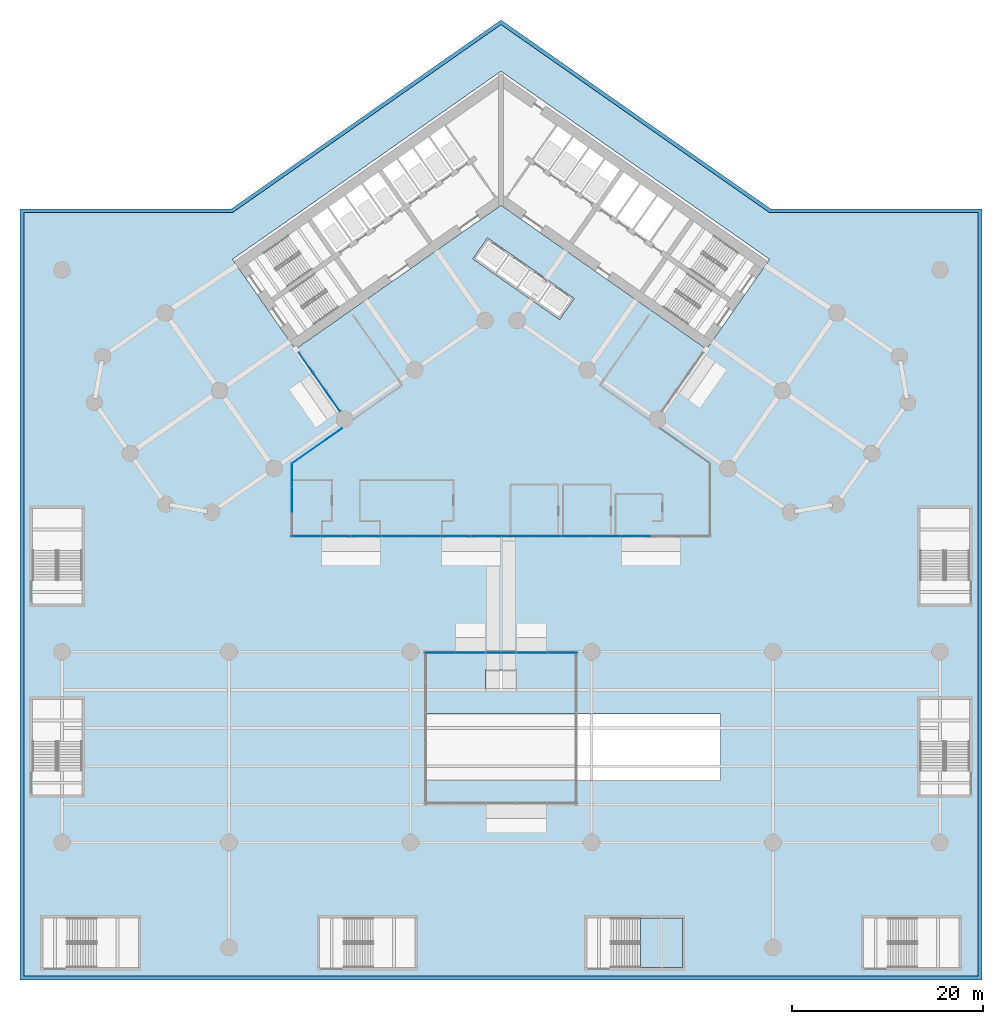
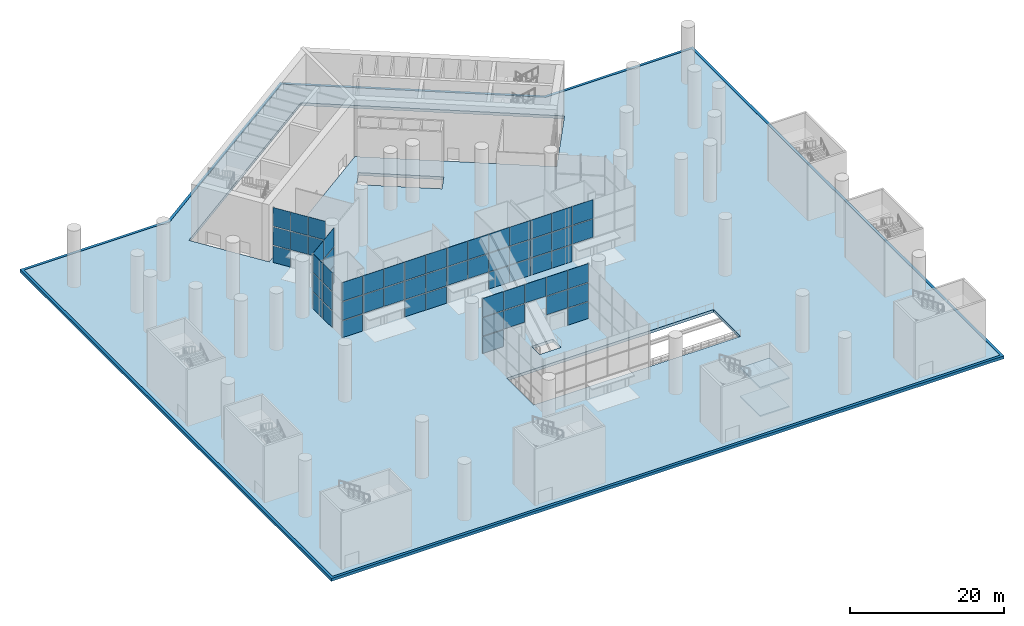
# One storey, part 14 of 37: 61 plates, 4 slabs, 6 elements without a shape of their own.
"""IFC4 building model written with IfcOpenShell, lengths in metres."""

import ifcopenshell
import ifcopenshell.guid

model = None  # the IFC model being written
_history = None  # IfcOwnerHistory: only IFC2X3 demands one
_inside = {}  # id of a spatial element -> (the spatial element, [elements in it])
_under = {}  # id of a project, library or spatial element -> (it, [spatial elements below it])
_declared = {}  # id of a project -> (the project, [libraries it declares])
_typed = {}  # id of a type object -> (the type object, [elements of that type])
_made_of = {}  # id of a material, layer set ... -> (it, [elements and type objects made of it])


def new_model(schema):
    """Start an empty IFC model of exactly this schema.

    Asked for "IFC4X3", IfcOpenShell would pick the latest addendum, in which some entities
    have other attributes; the version numbers below select the first issue.
    IFC2X3 requires an IfcOwnerHistory on every rooted entity: one is made here for all.
    """
    global model, _history
    if schema == "IFC4X3":
        model = ifcopenshell.file(schema_version=(4, 3, 0, 0))
    else:
        model = ifcopenshell.file(schema=schema)
    _inside.clear()
    _under.clear()
    _declared.clear()
    _typed.clear()
    _made_of.clear()
    _history = None
    if model.schema == "IFC2X3":
        org = make("IfcOrganization", Name="unknown")
        user = make(
            "IfcPersonAndOrganization",
            ThePerson=make("IfcPerson", FamilyName="unknown"),
            TheOrganization=org,
        )
        app = make(
            "IfcApplication",
            ApplicationDeveloper=org,
            Version="unknown",
            ApplicationFullName="unknown",
            ApplicationIdentifier="unknown",
        )
        _history = make(
            "IfcOwnerHistory",
            OwningUser=user,
            OwningApplication=app,
            ChangeAction="ADDED",
            CreationDate=0,
        )
    return model


def make(cls, **values):
    """One entity of the class cls with the attributes given. An attribute that is None is left unset."""
    return model.create_entity(
        cls, **{name: value for name, value in values.items() if value is not None}
    )


def rooted(cls, **values):
    """An entity with a GlobalId (a new one), such as an element, a storey or a relation."""
    return make(cls, GlobalId=ifcopenshell.guid.new(), OwnerHistory=_history, **values)


def si_unit(unit_type, name, prefix=None):
    """IfcSIUnit, for example si_unit("LENGTHUNIT", "METRE", prefix="MILLI")."""
    return make("IfcSIUnit", UnitType=unit_type, Prefix=prefix, Name=name)


def assignment(units):
    """IfcUnitAssignment: the units of a project."""
    return None if units is None else make("IfcUnitAssignment", Units=units)


def point(xyz):
    """IfcCartesianPoint."""
    return None if xyz is None else make("IfcCartesianPoint", Coordinates=xyz)


def direction(xyz):
    """IfcDirection."""
    return None if xyz is None else make("IfcDirection", DirectionRatios=xyz)


def frame(location, z_axis=None, x_axis=None):
    """IfcAxis2Placement3D, a coordinate frame: its origin and axes. An axis left out is left unset."""
    return make(
        "IfcAxis2Placement3D",
        Location=point(location),
        Axis=direction(z_axis),
        RefDirection=direction(x_axis),
    )


def frame_2d(location, x_axis=None):
    """IfcAxis2Placement2D, a coordinate frame in the plane: its origin and x axis."""
    return make(
        "IfcAxis2Placement2D", Location=point(location), RefDirection=direction(x_axis)
    )


def origin():
    """The frame at (0, 0, 0) with its axes left unset."""
    return frame((0.0, 0.0, 0.0))


def origin_2d():
    """The frame at (0, 0) in the plane with its x axis left unset."""
    return frame_2d((0.0, 0.0))


def place(relative_to, where):
    """IfcLocalPlacement: puts the frame where relative to a parent placement (None: the world)."""
    return make(
        "IfcLocalPlacement", PlacementRelTo=relative_to, RelativePlacement=where
    )


def context(
    kind, dimensions, precision=None, world=None, true_north=None, identifier=None
):
    """IfcGeometricRepresentationContext, for example the 3D "Model" context."""
    return make(
        "IfcGeometricRepresentationContext",
        ContextIdentifier=identifier,
        ContextType=kind,
        CoordinateSpaceDimension=dimensions,
        Precision=precision,
        WorldCoordinateSystem=world,
        TrueNorth=true_north,
    )


def subcontext(parent, identifier, kind, view, scale=None):
    """IfcGeometricRepresentationSubContext, for example "Body" below "Model"."""
    return make(
        "IfcGeometricRepresentationSubContext",
        ContextIdentifier=identifier,
        ContextType=kind,
        ParentContext=parent,
        TargetScale=scale,
        TargetView=view,
    )


def project(units=None, contexts=None):
    """IfcProject with its units and contexts."""
    return rooted(
        "IfcProject",
        Name="project",
        RepresentationContexts=contexts,
        UnitsInContext=assignment(units),
    )


def spatial(cls, under=None, at=None, **own):
    """A site, building, storey or space (cls), placed at a placement, below another one or the project."""
    s = rooted(cls, ObjectPlacement=at, **own)
    if under is not None:
        _under.setdefault(under.id(), (under, []))[1].append(s)
    return s


def polyline(points):
    """IfcPolyline through the points."""
    return make("IfcPolyline", Points=[point(p) for p in points])


def profile(cls, at=None, kind="AREA", **sizes):
    """A parametric profile (cls). Its sizes go by their IFC names, for example OverallWidth=200.0."""
    return make(cls, ProfileType=kind, Position=at, **sizes)


def rectangle(**sizes):
    """IfcRectangleProfileDef."""
    return profile("IfcRectangleProfileDef", **sizes)


def outline(outer, holes=None, kind="AREA"):
    """IfcArbitraryClosedProfileDef: a profile drawn as a closed curve; with holes, ...WithVoids."""
    if holes is None:
        return make("IfcArbitraryClosedProfileDef", ProfileType=kind, OuterCurve=outer)
    return make(
        "IfcArbitraryProfileDefWithVoids",
        ProfileType=kind,
        OuterCurve=outer,
        InnerCurves=holes,
    )


def extrude(swept, where, along, depth):
    """IfcExtrudedAreaSolid: the profile swept, set in the frame where, extruded along a direction by depth."""
    return make(
        "IfcExtrudedAreaSolid",
        SweptArea=swept,
        Position=where,
        ExtrudedDirection=direction(along),
        Depth=depth,
    )


def shape(context_of_items, identifier, shape_type, items):
    """IfcShapeRepresentation: the items that make up one representation, for example the "Body"."""
    return make(
        "IfcShapeRepresentation",
        ContextOfItems=context_of_items,
        RepresentationIdentifier=identifier,
        RepresentationType=shape_type,
        Items=items,
    )


def material(Name=None, Category=None):
    """IfcMaterial."""
    return make("IfcMaterial", Name=Name, Category=Category)


def layer(
    of_material, thickness, ventilated=None, Name=None, Category=None, Priority=None
):
    """IfcMaterialLayer: one layer of a wall or slab, of a material (None: an air gap)."""
    return make(
        "IfcMaterialLayer",
        Material=of_material,
        LayerThickness=thickness,
        IsVentilated=ventilated,
        Name=Name,
        Category=Category,
        Priority=Priority,
    )


def layer_set(layers, Name=None):
    """IfcMaterialLayerSet."""
    return make("IfcMaterialLayerSet", MaterialLayers=layers, LayerSetName=Name)


def made_of(thing, what):
    """Note that an element or type object is made of a material, layer set ...; save() writes the relation."""
    if what is not None:
        _made_of.setdefault(what.id(), (what, []))[1].append(thing)
    return thing


def type_object(cls, material=None, **own):
    """A type object (cls), such as IfcWallType, which elements share."""
    return made_of(rooted(cls, **own), material)


def element(
    cls,
    number,
    at=None,
    inside=None,
    cuts=None,
    type_object=None,
    material=None,
    context=None,
    identifier="Body",
    shape_type=None,
    held_by="IfcProductDefinitionShape",
    body=None,
    shapes=None,
    **own,
):
    """One element of the class cls, such as IfcWall. Its Tag is "e" and its number.

    at: its placement. inside: the storey or other place that contains it. cuts: it is an
    opening in that element (IfcRelVoidsElement). A single representation is given by context,
    identifier, shape_type and body (its items); several are given by shapes. held_by: the class
    of the entity that holds the representations. save() writes the other relations.
    """
    e = rooted(cls, Tag="e%d" % number, ObjectPlacement=at, **own)
    if body is not None:
        shapes = [shape(context, identifier, shape_type, body)]
    if shapes is not None:
        e.Representation = make(held_by, Representations=shapes)
    if inside is not None:
        _inside.setdefault(inside.id(), (inside, []))[1].append(e)
    if cuts is not None:
        rooted(
            "IfcRelVoidsElement", RelatingBuildingElement=cuts, RelatedOpeningElement=e
        )
    if type_object is not None:
        _typed.setdefault(type_object.id(), (type_object, []))[1].append(e)
    return made_of(e, material)


def aggregate(whole, parts):
    """IfcRelAggregates: a whole, such as a stair, and the parts it consists of."""
    return rooted("IfcRelAggregates", RelatingObject=whole, RelatedObjects=parts)


def save(model, path):
    """Write the relations noted so far, then the file.

    IfcRelAggregates (storeys below a building ...), IfcRelContainedInSpatialStructure (elements
    in a storey), IfcRelDefinesByType, IfcRelAssociatesMaterial and IfcRelDeclares: one each for
    every whole, place, type object, material and project.
    """
    for whole, parts in _under.values():
        aggregate(whole, parts)
    for where, things in _inside.values():
        rooted(
            "IfcRelContainedInSpatialStructure",
            RelatedElements=things,
            RelatingStructure=where,
        )
    for kind, things in _typed.values():
        rooted("IfcRelDefinesByType", RelatedObjects=things, RelatingType=kind)
    for what, things in _made_of.values():
        rooted("IfcRelAssociatesMaterial", RelatedObjects=things, RelatingMaterial=what)
    for by, libraries in _declared.values():
        rooted("IfcRelDeclares", RelatingContext=by, RelatedDefinitions=libraries)
    model.write(path)


model = new_model("IFC4")

# Units and contexts
model_context = context("Model", 3, precision=1e-05, world=origin(), true_north=direction((0.0, 1.0)))
body_context = subcontext(model_context, "Body", "Model", "MODEL_VIEW")
ifc_project = project(units=[si_unit("LENGTHUNIT", "METRE"), si_unit("AREAUNIT", "SQUARE_METRE"), si_unit("VOLUMEUNIT", "CUBIC_METRE"), si_unit("PLANEANGLEUNIT", "RADIAN"), si_unit("MASSUNIT", "GRAM", prefix="KILO")], contexts=[model_context])

# Site, building, storey
site_placement = place(None, origin())
site = spatial("IfcSite", under=ifc_project, at=site_placement, CompositionType="ELEMENT")
building_placement = place(site_placement, origin())
building = spatial("IfcBuilding", under=site, at=building_placement, Name="Tel Ilan Convention Tower", CompositionType="ELEMENT")
storey_placement = place(building_placement, origin())
storey = spatial("IfcBuildingStorey", under=building, at=storey_placement, Name="L00", CompositionType="ELEMENT", Elevation=0.0)

# Curtain wall, plates
ifc_material_1 = material(Name="Aluminium, bronze anodised", Category="aluminium")
curtain_wall_type = type_object("IfcCurtainWallType", Name="CW6 LOBBY PAVILION CURTAIN WALL, CLEAR GLASS", PredefinedType="NOTDEFINED", material=ifc_material_1)
curtain_wall_1_placement = place(storey_placement, origin())
curtain_wall_1 = element("IfcCurtainWall", 1, at=curtain_wall_1_placement, inside=storey, type_object=curtain_wall_type, Name="Curtain wall CW6-03.01", PredefinedType="NOTDEFINED")
ifc_material_2 = material(Name="Glass, clear, two-ply", Category="glass")
ifc_layer_1 = layer(ifc_material_2, 0.028076171875)
ifc_layer_set_1 = layer_set([ifc_layer_1], Name="CW FOYER GLASS PANEL 28")
plate_type = type_object("IfcPlateType", Name="CW FOYER GLASS PANEL 28", PredefinedType="CURTAIN_PANEL", material=ifc_layer_set_1)
plate_1_placement = place(storey_placement, frame((-21.89990234375, -32.111328125, 0.0), z_axis=(0.0, 0.0, 1.0), x_axis=(0.0, 1.0, 0.0)))
plate_1 = element("IfcPlate", 2, at=plate_1_placement, type_object=plate_type, Name="Glass panel", PredefinedType="CURTAIN_PANEL", context=body_context, shape_type="SweptSolid", body=[
    extrude(rectangle(XDim=2.532470703125, YDim=0.028076171875, at=origin_2d()), origin(), (0.0, 0.0, 1.0), 2.639892578125),
])
plate_2_placement = place(storey_placement, frame((-21.89990234375, -32.111328125, 2.760009765625), z_axis=(0.0, 0.0, 1.0), x_axis=(0.0, 1.0, 0.0)))
plate_2 = element("IfcPlate", 3, at=plate_2_placement, type_object=plate_type, Name="Glass panel", PredefinedType="CURTAIN_PANEL", context=body_context, shape_type="SweptSolid", body=[
    extrude(rectangle(XDim=2.532470703125, YDim=0.028076171875, at=origin_2d()), origin(), (0.0, 0.0, 1.0), 2.8798828125),
])
plate_3_placement = place(storey_placement, frame((-21.89990234375, -32.111328125, 5.760009765625), z_axis=(0.0, 0.0, 1.0), x_axis=(0.0, 1.0, 0.0)))
plate_3 = element("IfcPlate", 4, at=plate_3_placement, type_object=plate_type, Name="Glass panel", PredefinedType="CURTAIN_PANEL", context=body_context, shape_type="SweptSolid", body=[
    extrude(rectangle(XDim=2.532470703125, YDim=0.028076171875, at=origin_2d()), origin(), (0.0, 0.0, 1.0), 2.9599609375),
])
plate_4_placement = place(storey_placement, frame((-21.89990234375, -29.518798828125, 0.0), z_axis=(0.0, 0.0, 1.0), x_axis=(0.0, 1.0, 0.0)))
plate_4 = element("IfcPlate", 5, at=plate_4_placement, type_object=plate_type, Name="Glass panel", PredefinedType="CURTAIN_PANEL", context=body_context, shape_type="SweptSolid", body=[
    extrude(rectangle(XDim=2.532470703125, YDim=0.028076171875, at=origin_2d()), origin(), (0.0, 0.0, 1.0), 2.639892578125),
])
plate_5_placement = place(storey_placement, frame((-21.89990234375, -29.518798828125, 2.760009765625), z_axis=(0.0, 0.0, 1.0), x_axis=(0.0, 1.0, 0.0)))
plate_5 = element("IfcPlate", 6, at=plate_5_placement, type_object=plate_type, Name="Glass panel", PredefinedType="CURTAIN_PANEL", context=body_context, shape_type="SweptSolid", body=[
    extrude(rectangle(XDim=2.532470703125, YDim=0.028076171875, at=origin_2d()), origin(), (0.0, 0.0, 1.0), 2.8798828125),
])
plate_6_placement = place(storey_placement, frame((-21.89990234375, -29.518798828125, 5.760009765625), z_axis=(0.0, 0.0, 1.0), x_axis=(0.0, 1.0, 0.0)))
plate_6 = element("IfcPlate", 7, at=plate_6_placement, type_object=plate_type, Name="Glass panel", PredefinedType="CURTAIN_PANEL", context=body_context, shape_type="SweptSolid", body=[
    extrude(rectangle(XDim=2.532470703125, YDim=0.028076171875, at=origin_2d()), origin(), (0.0, 0.0, 1.0), 2.9599609375),
])
aggregate(curtain_wall_1, [plate_1, plate_2, plate_3, plate_4, plate_5, plate_6])

curtain_wall_2_placement = place(storey_placement, origin())
curtain_wall_2 = element("IfcCurtainWall", 8, at=curtain_wall_2_placement, inside=storey, type_object=curtain_wall_type, Name="Curtain wall CW6-03.02", PredefinedType="NOTDEFINED")
plate_7_placement = place(storey_placement, frame((-20.6171875, -27.37646484375, 0.0), z_axis=(0.0, 0.0, 1.0), x_axis=(0.819152044289, 0.573576436351, 0.0)))
plate_7 = element("IfcPlate", 9, at=plate_7_placement, type_object=plate_type, Name="Glass panel", PredefinedType="CURTAIN_PANEL", context=body_context, shape_type="SweptSolid", body=[
    extrude(rectangle(XDim=3.17626953125, YDim=0.028076171875, at=origin_2d()), origin(), (0.0, 0.0, 1.0), 2.639892578125),
])
plate_8_placement = place(storey_placement, frame((-20.6171875, -27.37646484375, 2.760009765625), z_axis=(0.0, 0.0, 1.0), x_axis=(0.819152044289, 0.573576436351, 0.0)))
plate_8 = element("IfcPlate", 10, at=plate_8_placement, type_object=plate_type, Name="Glass panel", PredefinedType="CURTAIN_PANEL", context=body_context, shape_type="SweptSolid", body=[
    extrude(rectangle(XDim=3.17626953125, YDim=0.028076171875, at=origin_2d()), origin(), (0.0, 0.0, 1.0), 2.8798828125),
])
plate_9_placement = place(storey_placement, frame((-20.6171875, -27.37646484375, 5.760009765625), z_axis=(0.0, 0.0, 1.0), x_axis=(0.819152044289, 0.573576436351, 0.0)))
plate_9 = element("IfcPlate", 11, at=plate_9_placement, type_object=plate_type, Name="Glass panel", PredefinedType="CURTAIN_PANEL", context=body_context, shape_type="SweptSolid", body=[
    extrude(rectangle(XDim=3.17626953125, YDim=0.028076171875, at=origin_2d()), origin(), (0.0, 0.0, 1.0), 2.9599609375),
])
plate_10_placement = place(storey_placement, frame((-17.966064453125, -25.520263671875, 0.0), z_axis=(0.0, 0.0, 1.0), x_axis=(0.819152044289, 0.573576436351, 0.0)))
plate_10 = element("IfcPlate", 12, at=plate_10_placement, type_object=plate_type, Name="Glass panel", PredefinedType="CURTAIN_PANEL", context=body_context, shape_type="SweptSolid", body=[
    extrude(rectangle(XDim=3.17626953125, YDim=0.028076171875, at=origin_2d()), origin(), (0.0, 0.0, 1.0), 2.639892578125),
])
plate_11_placement = place(storey_placement, frame((-17.966064453125, -25.520263671875, 2.760009765625), z_axis=(0.0, 0.0, 1.0), x_axis=(0.819152044289, 0.573576436351, 0.0)))
plate_11 = element("IfcPlate", 13, at=plate_11_placement, type_object=plate_type, Name="Glass panel", PredefinedType="CURTAIN_PANEL", context=body_context, shape_type="SweptSolid", body=[
    extrude(rectangle(XDim=3.17626953125, YDim=0.028076171875, at=origin_2d()), origin(), (0.0, 0.0, 1.0), 2.8798828125),
])
plate_12_placement = place(storey_placement, frame((-17.966064453125, -25.520263671875, 5.760009765625), z_axis=(0.0, 0.0, 1.0), x_axis=(0.819152044289, 0.573576436351, 0.0)))
plate_12 = element("IfcPlate", 14, at=plate_12_placement, type_object=plate_type, Name="Glass panel", PredefinedType="CURTAIN_PANEL", context=body_context, shape_type="SweptSolid", body=[
    extrude(rectangle(XDim=3.17626953125, YDim=0.028076171875, at=origin_2d()), origin(), (0.0, 0.0, 1.0), 2.9599609375),
])
aggregate(curtain_wall_2, [plate_7, plate_8, plate_9, plate_10, plate_11, plate_12])

curtain_wall_3_placement = place(storey_placement, origin())
curtain_wall_3 = element("IfcCurtainWall", 15, at=curtain_wall_3_placement, inside=storey, type_object=curtain_wall_type, Name="Curtain wall CW6-03.05", PredefinedType="NOTDEFINED")
plate_13_placement = place(storey_placement, frame((14.142822265625, -35.89990234375, 2.760009765625), z_axis=(0.0, 0.0, 1.0), x_axis=(-1.0, 0.0, 0.0)))
plate_13 = element("IfcPlate", 16, at=plate_13_placement, type_object=plate_type, Name="Glass panel", PredefinedType="CURTAIN_PANEL", context=body_context, shape_type="SweptSolid", body=[
    extrude(rectangle(XDim=3.082763671875, YDim=0.028076171875, at=origin_2d()), origin(), (0.0, 0.0, 1.0), 2.8798828125),
])
plate_14_placement = place(storey_placement, frame((14.142822265625, -35.89990234375, 5.760009765625), z_axis=(0.0, 0.0, 1.0), x_axis=(-1.0, 0.0, 0.0)))
plate_14 = element("IfcPlate", 17, at=plate_14_placement, type_object=plate_type, Name="Glass panel", PredefinedType="CURTAIN_PANEL", context=body_context, shape_type="SweptSolid", body=[
    extrude(rectangle(XDim=3.082763671875, YDim=0.028076171875, at=origin_2d()), origin(), (0.0, 0.0, 1.0), 2.9599609375),
])
plate_15_placement = place(storey_placement, frame((11.0, -35.89990234375, 0.0), z_axis=(0.0, 0.0, 1.0), x_axis=(-1.0, 0.0, 0.0)))
plate_15 = element("IfcPlate", 18, at=plate_15_placement, type_object=plate_type, Name="Glass panel", PredefinedType="CURTAIN_PANEL", context=body_context, shape_type="SweptSolid", body=[
    extrude(rectangle(XDim=3.082763671875, YDim=0.028076171875, at=origin_2d()), origin(), (0.0, 0.0, 1.0), 2.639892578125),
])
plate_16_placement = place(storey_placement, frame((11.0, -35.89990234375, 2.760009765625), z_axis=(0.0, 0.0, 1.0), x_axis=(-1.0, 0.0, 0.0)))
plate_16 = element("IfcPlate", 19, at=plate_16_placement, type_object=plate_type, Name="Glass panel", PredefinedType="CURTAIN_PANEL", context=body_context, shape_type="SweptSolid", body=[
    extrude(rectangle(XDim=3.082763671875, YDim=0.028076171875, at=origin_2d()), origin(), (0.0, 0.0, 1.0), 2.8798828125),
])
plate_17_placement = place(storey_placement, frame((11.0, -35.89990234375, 5.760009765625), z_axis=(0.0, 0.0, 1.0), x_axis=(-1.0, 0.0, 0.0)))
plate_17 = element("IfcPlate", 20, at=plate_17_placement, type_object=plate_type, Name="Glass panel", PredefinedType="CURTAIN_PANEL", context=body_context, shape_type="SweptSolid", body=[
    extrude(rectangle(XDim=3.082763671875, YDim=0.028076171875, at=origin_2d()), origin(), (0.0, 0.0, 1.0), 2.9599609375),
])
plate_18_placement = place(storey_placement, frame((7.857177734375, -35.89990234375, 0.0), z_axis=(0.0, 0.0, 1.0), x_axis=(-1.0, 0.0, 0.0)))
plate_18 = element("IfcPlate", 21, at=plate_18_placement, type_object=plate_type, Name="Glass panel", PredefinedType="CURTAIN_PANEL", context=body_context, shape_type="SweptSolid", body=[
    extrude(rectangle(XDim=3.082763671875, YDim=0.028076171875, at=origin_2d()), origin(), (0.0, 0.0, 1.0), 2.639892578125),
])
plate_19_placement = place(storey_placement, frame((7.857177734375, -35.89990234375, 2.760009765625), z_axis=(0.0, 0.0, 1.0), x_axis=(-1.0, 0.0, 0.0)))
plate_19 = element("IfcPlate", 22, at=plate_19_placement, type_object=plate_type, Name="Glass panel", PredefinedType="CURTAIN_PANEL", context=body_context, shape_type="SweptSolid", body=[
    extrude(rectangle(XDim=3.082763671875, YDim=0.028076171875, at=origin_2d()), origin(), (0.0, 0.0, 1.0), 2.8798828125),
])
plate_20_placement = place(storey_placement, frame((7.857177734375, -35.89990234375, 5.760009765625), z_axis=(0.0, 0.0, 1.0), x_axis=(-1.0, 0.0, 0.0)))
plate_20 = element("IfcPlate", 23, at=plate_20_placement, type_object=plate_type, Name="Glass panel", PredefinedType="CURTAIN_PANEL", context=body_context, shape_type="SweptSolid", body=[
    extrude(rectangle(XDim=3.082763671875, YDim=0.028076171875, at=origin_2d()), origin(), (0.0, 0.0, 1.0), 2.9599609375),
])
plate_21_placement = place(storey_placement, frame((4.71435546875, -35.89990234375, 0.0), z_axis=(0.0, 0.0, 1.0), x_axis=(-1.0, 0.0, 0.0)))
plate_21 = element("IfcPlate", 24, at=plate_21_placement, type_object=plate_type, Name="Glass panel", PredefinedType="CURTAIN_PANEL", context=body_context, shape_type="SweptSolid", body=[
    extrude(rectangle(XDim=3.082763671875, YDim=0.028076171875, at=origin_2d()), origin(), (0.0, 0.0, 1.0), 2.639892578125),
])
plate_22_placement = place(storey_placement, frame((4.71435546875, -35.89990234375, 2.760009765625), z_axis=(0.0, 0.0, 1.0), x_axis=(-1.0, 0.0, 0.0)))
plate_22 = element("IfcPlate", 25, at=plate_22_placement, type_object=plate_type, Name="Glass panel", PredefinedType="CURTAIN_PANEL", context=body_context, shape_type="SweptSolid", body=[
    extrude(rectangle(XDim=3.082763671875, YDim=0.028076171875, at=origin_2d()), origin(), (0.0, 0.0, 1.0), 2.8798828125),
])
plate_23_placement = place(storey_placement, frame((4.71435546875, -35.89990234375, 5.760009765625), z_axis=(0.0, 0.0, 1.0), x_axis=(-1.0, 0.0, 0.0)))
plate_23 = element("IfcPlate", 26, at=plate_23_placement, type_object=plate_type, Name="Glass panel", PredefinedType="CURTAIN_PANEL", context=body_context, shape_type="SweptSolid", body=[
    extrude(rectangle(XDim=3.082763671875, YDim=0.028076171875, at=origin_2d()), origin(), (0.0, 0.0, 1.0), 2.9599609375),
])
plate_24_placement = place(storey_placement, frame((1.571533203125, -35.89990234375, 0.0), z_axis=(0.0, 0.0, 1.0), x_axis=(-1.0, 0.0, 0.0)))
plate_24 = element("IfcPlate", 27, at=plate_24_placement, type_object=plate_type, Name="Glass panel", PredefinedType="CURTAIN_PANEL", context=body_context, shape_type="SweptSolid", body=[
    extrude(rectangle(XDim=3.082763671875, YDim=0.028076171875, at=origin_2d()), origin(), (0.0, 0.0, 1.0), 2.639892578125),
])
plate_25_placement = place(storey_placement, frame((1.571533203125, -35.89990234375, 2.760009765625), z_axis=(0.0, 0.0, 1.0), x_axis=(-1.0, 0.0, 0.0)))
plate_25 = element("IfcPlate", 28, at=plate_25_placement, type_object=plate_type, Name="Glass panel", PredefinedType="CURTAIN_PANEL", context=body_context, shape_type="SweptSolid", body=[
    extrude(rectangle(XDim=3.082763671875, YDim=0.028076171875, at=origin_2d()), origin(), (0.0, 0.0, 1.0), 2.8798828125),
])
plate_26_placement = place(storey_placement, frame((1.571533203125, -35.89990234375, 5.760009765625), z_axis=(0.0, 0.0, 1.0), x_axis=(-1.0, 0.0, 0.0)))
plate_26 = element("IfcPlate", 29, at=plate_26_placement, type_object=plate_type, Name="Glass panel", PredefinedType="CURTAIN_PANEL", context=body_context, shape_type="SweptSolid", body=[
    extrude(rectangle(XDim=3.082763671875, YDim=0.028076171875, at=origin_2d()), origin(), (0.0, 0.0, 1.0), 2.9599609375),
])
plate_27_placement = place(storey_placement, frame((-1.571533203125, -35.89990234375, 2.760009765625), z_axis=(0.0, 0.0, 1.0), x_axis=(-1.0, 0.0, 0.0)))
plate_27 = element("IfcPlate", 30, at=plate_27_placement, type_object=plate_type, Name="Glass panel", PredefinedType="CURTAIN_PANEL", context=body_context, shape_type="SweptSolid", body=[
    extrude(rectangle(XDim=3.082763671875, YDim=0.028076171875, at=origin_2d()), origin(), (0.0, 0.0, 1.0), 2.8798828125),
])
plate_28_placement = place(storey_placement, frame((-1.571533203125, -35.89990234375, 5.760009765625), z_axis=(0.0, 0.0, 1.0), x_axis=(-1.0, 0.0, 0.0)))
plate_28 = element("IfcPlate", 31, at=plate_28_placement, type_object=plate_type, Name="Glass panel", PredefinedType="CURTAIN_PANEL", context=body_context, shape_type="SweptSolid", body=[
    extrude(rectangle(XDim=3.082763671875, YDim=0.028076171875, at=origin_2d()), origin(), (0.0, 0.0, 1.0), 2.9599609375),
])
plate_29_placement = place(storey_placement, frame((-4.71435546875, -35.89990234375, 2.760009765625), z_axis=(0.0, 0.0, 1.0), x_axis=(-1.0, 0.0, 0.0)))
plate_29 = element("IfcPlate", 32, at=plate_29_placement, type_object=plate_type, Name="Glass panel", PredefinedType="CURTAIN_PANEL", context=body_context, shape_type="SweptSolid", body=[
    extrude(rectangle(XDim=3.082763671875, YDim=0.028076171875, at=origin_2d()), origin(), (0.0, 0.0, 1.0), 2.8798828125),
])
plate_30_placement = place(storey_placement, frame((-4.71435546875, -35.89990234375, 5.760009765625), z_axis=(0.0, 0.0, 1.0), x_axis=(-1.0, 0.0, 0.0)))
plate_30 = element("IfcPlate", 33, at=plate_30_placement, type_object=plate_type, Name="Glass panel", PredefinedType="CURTAIN_PANEL", context=body_context, shape_type="SweptSolid", body=[
    extrude(rectangle(XDim=3.082763671875, YDim=0.028076171875, at=origin_2d()), origin(), (0.0, 0.0, 1.0), 2.9599609375),
])
plate_31_placement = place(storey_placement, frame((-7.857177734375, -35.89990234375, 0.0), z_axis=(0.0, 0.0, 1.0), x_axis=(-1.0, 0.0, 0.0)))
plate_31 = element("IfcPlate", 34, at=plate_31_placement, type_object=plate_type, Name="Glass panel", PredefinedType="CURTAIN_PANEL", context=body_context, shape_type="SweptSolid", body=[
    extrude(rectangle(XDim=3.082763671875, YDim=0.028076171875, at=origin_2d()), origin(), (0.0, 0.0, 1.0), 2.639892578125),
])
plate_32_placement = place(storey_placement, frame((-7.857177734375, -35.89990234375, 2.760009765625), z_axis=(0.0, 0.0, 1.0), x_axis=(-1.0, 0.0, 0.0)))
plate_32 = element("IfcPlate", 35, at=plate_32_placement, type_object=plate_type, Name="Glass panel", PredefinedType="CURTAIN_PANEL", context=body_context, shape_type="SweptSolid", body=[
    extrude(rectangle(XDim=3.082763671875, YDim=0.028076171875, at=origin_2d()), origin(), (0.0, 0.0, 1.0), 2.8798828125),
])
plate_33_placement = place(storey_placement, frame((-7.857177734375, -35.89990234375, 5.760009765625), z_axis=(0.0, 0.0, 1.0), x_axis=(-1.0, 0.0, 0.0)))
plate_33 = element("IfcPlate", 36, at=plate_33_placement, type_object=plate_type, Name="Glass panel", PredefinedType="CURTAIN_PANEL", context=body_context, shape_type="SweptSolid", body=[
    extrude(rectangle(XDim=3.082763671875, YDim=0.028076171875, at=origin_2d()), origin(), (0.0, 0.0, 1.0), 2.9599609375),
])
plate_34_placement = place(storey_placement, frame((-11.0, -35.89990234375, 0.0), z_axis=(0.0, 0.0, 1.0), x_axis=(-1.0, 0.0, 0.0)))
plate_34 = element("IfcPlate", 37, at=plate_34_placement, type_object=plate_type, Name="Glass panel", PredefinedType="CURTAIN_PANEL", context=body_context, shape_type="SweptSolid", body=[
    extrude(rectangle(XDim=3.082763671875, YDim=0.028076171875, at=origin_2d()), origin(), (0.0, 0.0, 1.0), 2.639892578125),
])
plate_35_placement = place(storey_placement, frame((-11.0, -35.89990234375, 2.760009765625), z_axis=(0.0, 0.0, 1.0), x_axis=(-1.0, 0.0, 0.0)))
plate_35 = element("IfcPlate", 38, at=plate_35_placement, type_object=plate_type, Name="Glass panel", PredefinedType="CURTAIN_PANEL", context=body_context, shape_type="SweptSolid", body=[
    extrude(rectangle(XDim=3.082763671875, YDim=0.028076171875, at=origin_2d()), origin(), (0.0, 0.0, 1.0), 2.8798828125),
])
plate_36_placement = place(storey_placement, frame((-11.0, -35.89990234375, 5.760009765625), z_axis=(0.0, 0.0, 1.0), x_axis=(-1.0, 0.0, 0.0)))
plate_36 = element("IfcPlate", 39, at=plate_36_placement, type_object=plate_type, Name="Glass panel", PredefinedType="CURTAIN_PANEL", context=body_context, shape_type="SweptSolid", body=[
    extrude(rectangle(XDim=3.082763671875, YDim=0.028076171875, at=origin_2d()), origin(), (0.0, 0.0, 1.0), 2.9599609375),
])
plate_37_placement = place(storey_placement, frame((-14.142822265625, -35.89990234375, 2.760009765625), z_axis=(0.0, 0.0, 1.0), x_axis=(-1.0, 0.0, 0.0)))
plate_37 = element("IfcPlate", 40, at=plate_37_placement, type_object=plate_type, Name="Glass panel", PredefinedType="CURTAIN_PANEL", context=body_context, shape_type="SweptSolid", body=[
    extrude(rectangle(XDim=3.082763671875, YDim=0.028076171875, at=origin_2d()), origin(), (0.0, 0.0, 1.0), 2.8798828125),
])
plate_38_placement = place(storey_placement, frame((-14.142822265625, -35.89990234375, 5.760009765625), z_axis=(0.0, 0.0, 1.0), x_axis=(-1.0, 0.0, 0.0)))
plate_38 = element("IfcPlate", 41, at=plate_38_placement, type_object=plate_type, Name="Glass panel", PredefinedType="CURTAIN_PANEL", context=body_context, shape_type="SweptSolid", body=[
    extrude(rectangle(XDim=3.082763671875, YDim=0.028076171875, at=origin_2d()), origin(), (0.0, 0.0, 1.0), 2.9599609375),
])
plate_39_placement = place(storey_placement, frame((-17.28564453125, -35.89990234375, 2.760009765625), z_axis=(0.0, 0.0, 1.0), x_axis=(-1.0, 0.0, 0.0)))
plate_39 = element("IfcPlate", 42, at=plate_39_placement, type_object=plate_type, Name="Glass panel", PredefinedType="CURTAIN_PANEL", context=body_context, shape_type="SweptSolid", body=[
    extrude(rectangle(XDim=3.082763671875, YDim=0.028076171875, at=origin_2d()), origin(), (0.0, 0.0, 1.0), 2.8798828125),
])
plate_40_placement = place(storey_placement, frame((-17.28564453125, -35.89990234375, 5.760009765625), z_axis=(0.0, 0.0, 1.0), x_axis=(-1.0, 0.0, 0.0)))
plate_40 = element("IfcPlate", 43, at=plate_40_placement, type_object=plate_type, Name="Glass panel", PredefinedType="CURTAIN_PANEL", context=body_context, shape_type="SweptSolid", body=[
    extrude(rectangle(XDim=3.082763671875, YDim=0.028076171875, at=origin_2d()), origin(), (0.0, 0.0, 1.0), 2.9599609375),
])
plate_41_placement = place(storey_placement, frame((-20.428466796875, -35.89990234375, 0.0), z_axis=(0.0, 0.0, 1.0), x_axis=(-1.0, 0.0, 0.0)))
plate_41 = element("IfcPlate", 44, at=plate_41_placement, type_object=plate_type, Name="Glass panel", PredefinedType="CURTAIN_PANEL", context=body_context, shape_type="SweptSolid", body=[
    extrude(rectangle(XDim=3.082763671875, YDim=0.028076171875, at=origin_2d()), origin(), (0.0, 0.0, 1.0), 2.639892578125),
])
plate_42_placement = place(storey_placement, frame((-20.428466796875, -35.89990234375, 2.760009765625), z_axis=(0.0, 0.0, 1.0), x_axis=(-1.0, 0.0, 0.0)))
plate_42 = element("IfcPlate", 45, at=plate_42_placement, type_object=plate_type, Name="Glass panel", PredefinedType="CURTAIN_PANEL", context=body_context, shape_type="SweptSolid", body=[
    extrude(rectangle(XDim=3.082763671875, YDim=0.028076171875, at=origin_2d()), origin(), (0.0, 0.0, 1.0), 2.8798828125),
])
plate_43_placement = place(storey_placement, frame((-20.428466796875, -35.89990234375, 5.760009765625), z_axis=(0.0, 0.0, 1.0), x_axis=(-1.0, 0.0, 0.0)))
plate_43 = element("IfcPlate", 46, at=plate_43_placement, type_object=plate_type, Name="Glass panel", PredefinedType="CURTAIN_PANEL", context=body_context, shape_type="SweptSolid", body=[
    extrude(rectangle(XDim=3.082763671875, YDim=0.028076171875, at=origin_2d()), origin(), (0.0, 0.0, 1.0), 2.9599609375),
])
aggregate(curtain_wall_3, [plate_13, plate_14, plate_15, plate_16, plate_17, plate_18, plate_19, plate_20, plate_21, plate_22, plate_23, plate_24, plate_25, plate_26, plate_27, plate_28, plate_29, plate_30, plate_31, plate_32, plate_33, plate_34, plate_35, plate_36, plate_37, plate_38, plate_39, plate_40, plate_41, plate_42, plate_43])

curtain_wall_4_placement = place(storey_placement, origin())
curtain_wall_4 = element("IfcCurtainWall", 47, at=curtain_wall_4_placement, inside=storey, type_object=curtain_wall_type, Name="Curtain wall CW6-03.06", PredefinedType="NOTDEFINED")
plate_44_placement = place(storey_placement, frame((-17.5751953125, -21.798583984375, 2.760009765625), z_axis=(0.0, 0.0, 1.0), x_axis=(-0.573576436351, 0.819152044289, 0.0)))
plate_44 = element("IfcPlate", 48, at=plate_44_placement, type_object=plate_type, Name="Glass panel", PredefinedType="CURTAIN_PANEL", context=body_context, shape_type="SweptSolid", body=[
    extrude(rectangle(XDim=2.4501953125, YDim=0.028076171875, at=origin_2d()), origin(), (0.0, 0.0, 1.0), 2.8798828125),
])
plate_45_placement = place(storey_placement, frame((-17.5751953125, -21.798583984375, 5.760009765625), z_axis=(0.0, 0.0, 1.0), x_axis=(-0.573576436351, 0.819152044289, 0.0)))
plate_45 = element("IfcPlate", 49, at=plate_45_placement, type_object=plate_type, Name="Glass panel", PredefinedType="CURTAIN_PANEL", context=body_context, shape_type="SweptSolid", body=[
    extrude(rectangle(XDim=2.4501953125, YDim=0.028076171875, at=origin_2d()), origin(), (0.0, 0.0, 1.0), 2.9599609375),
])
plate_46_placement = place(storey_placement, frame((-19.01513671875, -19.742431640625, 2.760009765625), z_axis=(0.0, 0.0, 1.0), x_axis=(-0.573576436351, 0.819152044289, 0.0)))
plate_46 = element("IfcPlate", 50, at=plate_46_placement, type_object=plate_type, Name="Glass panel", PredefinedType="CURTAIN_PANEL", context=body_context, shape_type="SweptSolid", body=[
    extrude(rectangle(XDim=2.4501953125, YDim=0.028076171875, at=origin_2d()), origin(), (0.0, 0.0, 1.0), 2.8798828125),
])
plate_47_placement = place(storey_placement, frame((-19.01513671875, -19.742431640625, 5.760009765625), z_axis=(0.0, 0.0, 1.0), x_axis=(-0.573576436351, 0.819152044289, 0.0)))
plate_47 = element("IfcPlate", 51, at=plate_47_placement, type_object=plate_type, Name="Glass panel", PredefinedType="CURTAIN_PANEL", context=body_context, shape_type="SweptSolid", body=[
    extrude(rectangle(XDim=2.4501953125, YDim=0.028076171875, at=origin_2d()), origin(), (0.0, 0.0, 1.0), 2.9599609375),
])
plate_48_placement = place(storey_placement, frame((-20.454833984375, -17.68603515625, 0.0), z_axis=(0.0, 0.0, 1.0), x_axis=(-0.573576436351, 0.819152044289, 0.0)))
plate_48 = element("IfcPlate", 52, at=plate_48_placement, type_object=plate_type, Name="Glass panel", PredefinedType="CURTAIN_PANEL", context=body_context, shape_type="SweptSolid", body=[
    extrude(rectangle(XDim=2.4501953125, YDim=0.028076171875, at=origin_2d()), origin(), (0.0, 0.0, 1.0), 2.639892578125),
])
plate_49_placement = place(storey_placement, frame((-20.454833984375, -17.68603515625, 2.760009765625), z_axis=(0.0, 0.0, 1.0), x_axis=(-0.573576436351, 0.819152044289, 0.0)))
plate_49 = element("IfcPlate", 53, at=plate_49_placement, type_object=plate_type, Name="Glass panel", PredefinedType="CURTAIN_PANEL", context=body_context, shape_type="SweptSolid", body=[
    extrude(rectangle(XDim=2.4501953125, YDim=0.028076171875, at=origin_2d()), origin(), (0.0, 0.0, 1.0), 2.8798828125),
])
plate_50_placement = place(storey_placement, frame((-20.454833984375, -17.68603515625, 5.760009765625), z_axis=(0.0, 0.0, 1.0), x_axis=(-0.573576436351, 0.819152044289, 0.0)))
plate_50 = element("IfcPlate", 54, at=plate_50_placement, type_object=plate_type, Name="Glass panel", PredefinedType="CURTAIN_PANEL", context=body_context, shape_type="SweptSolid", body=[
    extrude(rectangle(XDim=2.4501953125, YDim=0.028076171875, at=origin_2d()), origin(), (0.0, 0.0, 1.0), 2.9599609375),
])
aggregate(curtain_wall_4, [plate_44, plate_45, plate_46, plate_47, plate_48, plate_49, plate_50])

curtain_wall_5_placement = place(storey_placement, origin())
curtain_wall_5 = element("IfcCurtainWall", 55, at=curtain_wall_5_placement, inside=storey, type_object=curtain_wall_type, Name="Curtain wall CW6-03.09", PredefinedType="NOTDEFINED")
plate_51_placement = place(storey_placement, frame((6.39990234375, -48.10009765625, 0.0), z_axis=(0.0, 0.0, 1.0), x_axis=(-1.0, 0.0, 0.0)))
plate_51 = element("IfcPlate", 56, at=plate_51_placement, type_object=plate_type, Name="Glass panel", PredefinedType="CURTAIN_PANEL", context=body_context, shape_type="SweptSolid", body=[
    extrude(rectangle(XDim=3.139892578125, YDim=0.028076171875, at=origin_2d()), origin(), (0.0, 0.0, 1.0), 2.639892578125),
])
plate_52_placement = place(storey_placement, frame((6.39990234375, -48.10009765625, 2.760009765625), z_axis=(0.0, 0.0, 1.0), x_axis=(-1.0, 0.0, 0.0)))
plate_52 = element("IfcPlate", 57, at=plate_52_placement, type_object=plate_type, Name="Glass panel", PredefinedType="CURTAIN_PANEL", context=body_context, shape_type="SweptSolid", body=[
    extrude(rectangle(XDim=3.139892578125, YDim=0.028076171875, at=origin_2d()), origin(), (0.0, 0.0, 1.0), 2.8798828125),
])
plate_53_placement = place(storey_placement, frame((6.39990234375, -48.10009765625, 5.760009765625), z_axis=(0.0, 0.0, 1.0), x_axis=(-1.0, 0.0, 0.0)))
plate_53 = element("IfcPlate", 58, at=plate_53_placement, type_object=plate_type, Name="Glass panel", PredefinedType="CURTAIN_PANEL", context=body_context, shape_type="SweptSolid", body=[
    extrude(rectangle(XDim=3.139892578125, YDim=0.028076171875, at=origin_2d()), origin(), (0.0, 0.0, 1.0), 2.9599609375),
])
plate_54_placement = place(storey_placement, frame((3.199951171875, -48.10009765625, 2.760009765625), z_axis=(0.0, 0.0, 1.0), x_axis=(-1.0, 0.0, 0.0)))
plate_54 = element("IfcPlate", 59, at=plate_54_placement, type_object=plate_type, Name="Glass panel", PredefinedType="CURTAIN_PANEL", context=body_context, shape_type="SweptSolid", body=[
    extrude(rectangle(XDim=3.139892578125, YDim=0.028076171875, at=origin_2d()), origin(), (0.0, 0.0, 1.0), 2.8798828125),
])
plate_55_placement = place(storey_placement, frame((3.199951171875, -48.10009765625, 5.760009765625), z_axis=(0.0, 0.0, 1.0), x_axis=(-1.0, 0.0, 0.0)))
plate_55 = element("IfcPlate", 60, at=plate_55_placement, type_object=plate_type, Name="Glass panel", PredefinedType="CURTAIN_PANEL", context=body_context, shape_type="SweptSolid", body=[
    extrude(rectangle(XDim=3.139892578125, YDim=0.028076171875, at=origin_2d()), origin(), (0.0, 0.0, 1.0), 2.9599609375),
])
plate_56_placement = place(storey_placement, frame((0.0, -48.10009765625, 5.760009765625), z_axis=(0.0, 0.0, 1.0), x_axis=(-1.0, 0.0, 0.0)))
plate_56 = element("IfcPlate", 61, at=plate_56_placement, type_object=plate_type, Name="Glass panel", PredefinedType="CURTAIN_PANEL", context=body_context, shape_type="SweptSolid", body=[
    extrude(rectangle(XDim=3.139892578125, YDim=0.028076171875, at=origin_2d()), origin(), (0.0, 0.0, 1.0), 2.9599609375),
])
plate_57_placement = place(storey_placement, frame((-3.199951171875, -48.10009765625, 2.760009765625), z_axis=(0.0, 0.0, 1.0), x_axis=(-1.0, 0.0, 0.0)))
plate_57 = element("IfcPlate", 62, at=plate_57_placement, type_object=plate_type, Name="Glass panel", PredefinedType="CURTAIN_PANEL", context=body_context, shape_type="SweptSolid", body=[
    extrude(rectangle(XDim=3.139892578125, YDim=0.028076171875, at=origin_2d()), origin(), (0.0, 0.0, 1.0), 2.8798828125),
])
plate_58_placement = place(storey_placement, frame((-3.199951171875, -48.10009765625, 5.760009765625), z_axis=(0.0, 0.0, 1.0), x_axis=(-1.0, 0.0, 0.0)))
plate_58 = element("IfcPlate", 63, at=plate_58_placement, type_object=plate_type, Name="Glass panel", PredefinedType="CURTAIN_PANEL", context=body_context, shape_type="SweptSolid", body=[
    extrude(rectangle(XDim=3.139892578125, YDim=0.028076171875, at=origin_2d()), origin(), (0.0, 0.0, 1.0), 2.9599609375),
])
plate_59_placement = place(storey_placement, frame((-6.39990234375, -48.10009765625, 0.0), z_axis=(0.0, 0.0, 1.0), x_axis=(-1.0, 0.0, 0.0)))
plate_59 = element("IfcPlate", 64, at=plate_59_placement, type_object=plate_type, Name="Glass panel", PredefinedType="CURTAIN_PANEL", context=body_context, shape_type="SweptSolid", body=[
    extrude(rectangle(XDim=3.139892578125, YDim=0.028076171875, at=origin_2d()), origin(), (0.0, 0.0, 1.0), 2.639892578125),
])
plate_60_placement = place(storey_placement, frame((-6.39990234375, -48.10009765625, 2.760009765625), z_axis=(0.0, 0.0, 1.0), x_axis=(-1.0, 0.0, 0.0)))
plate_60 = element("IfcPlate", 65, at=plate_60_placement, type_object=plate_type, Name="Glass panel", PredefinedType="CURTAIN_PANEL", context=body_context, shape_type="SweptSolid", body=[
    extrude(rectangle(XDim=3.139892578125, YDim=0.028076171875, at=origin_2d()), origin(), (0.0, 0.0, 1.0), 2.8798828125),
])
plate_61_placement = place(storey_placement, frame((-6.39990234375, -48.10009765625, 5.760009765625), z_axis=(0.0, 0.0, 1.0), x_axis=(-1.0, 0.0, 0.0)))
plate_61 = element("IfcPlate", 66, at=plate_61_placement, type_object=plate_type, Name="Glass panel", PredefinedType="CURTAIN_PANEL", context=body_context, shape_type="SweptSolid", body=[
    extrude(rectangle(XDim=3.139892578125, YDim=0.028076171875, at=origin_2d()), origin(), (0.0, 0.0, 1.0), 2.9599609375),
])
aggregate(curtain_wall_5, [plate_51, plate_52, plate_53, plate_54, plate_55, plate_56, plate_57, plate_58, plate_59, plate_60, plate_61])

# Stair, slabs
ifc_material_3 = material(Name="Concrete C40/50", Category="concrete")
stair_type = type_object("IfcStairType", Name="Pressurised Exit Stair 48 risers 188 mm", PredefinedType="HALF_TURN_STAIR", material=ifc_material_3)
stair_placement = place(storey_placement, origin())
stair = element("IfcStair", 67, at=stair_placement, inside=storey, type_object=stair_type, Name="L00 Podium Exit Stair P3", PredefinedType="HALF_TURN_STAIR")
ifc_material_4 = material(Name="Concrete C40/50", Category="concrete")
ifc_layer_2 = layer(ifc_material_4, 0.199951171875)
ifc_layer_set_2 = layer_set([ifc_layer_2], Name="Concrete Stair Landing 200 mm C40/50")
slab_type_1 = type_object("IfcSlabType", Name="Concrete Stair Landing 200 mm", PredefinedType="LANDING", material=ifc_layer_set_2)
slab_1_placement = place(storey_placement, frame((0.0, 0.0, 2.050048828125)))
slab_1 = element("IfcSlab", 68, at=slab_1_placement, type_object=slab_type_1, Name="P3 landing 1", PredefinedType="LANDING", context=body_context, shape_type="SweptSolid", body=[
    extrude(outline(polyline([(14.604248046875, -81.10009765625), (19.0, -81.10009765625), (19.0, -75.89990234375), (14.604248046875, -75.89990234375), (14.604248046875, -81.10009765625)])), origin(), (0.0, 0.0, 1.0), 0.199951171875),
])
slab_2_placement = place(storey_placement, frame((0.0, 0.0, 6.550048828125)))
slab_2 = element("IfcSlab", 69, at=slab_2_placement, type_object=slab_type_1, Name="P3 landing 3", PredefinedType="LANDING", context=body_context, shape_type="SweptSolid", body=[
    extrude(outline(polyline([(14.604248046875, -81.10009765625), (19.0, -81.10009765625), (19.0, -75.89990234375), (14.604248046875, -75.89990234375), (14.604248046875, -81.10009765625)])), origin(), (0.0, 0.0, 1.0), 0.199951171875),
])
aggregate(stair, [slab_1, slab_2])

# Slabs
ifc_material_5 = material(Name="Concrete C40/50", Category="concrete")
ifc_layer_3 = layer(ifc_material_5, 0.449951171875)
ifc_layer_set_3 = layer_set([ifc_layer_3], Name="Edge Ledge Slab 450 mm C40/50")
slab_type_2 = type_object("IfcSlabType", Name="Edge Ledge Slab 450 mm C40/50", PredefinedType="FLOOR", material=ifc_layer_set_3)
slab_3_placement = place(storey_placement, frame((0.0, 0.0, -0.449951171875)))
element("IfcSlab", 70, at=slab_3_placement, inside=storey, type_object=slab_type_2, Name="L00 edge ledge 1", PredefinedType="FLOOR", context=body_context, shape_type="SweptSolid", body=[
    extrude(outline(polyline([(-28.262451171875, -1.60009765625), (0.0, 18.189453125), (28.262451171875, -1.60009765625), (50.39990234375, -1.60009765625), (50.39990234375, -82.39990234375), (-50.39990234375, -82.39990234375), (-50.39990234375, -1.60009765625), (-28.262451171875, -1.60009765625)]), holes=[polyline([(50.0, -2.0), (28.13623046875, -2.0), (0.0, 17.701171875), (-28.13623046875, -2.0), (-50.0, -2.0), (-50.0, -82.0), (50.0, -82.0), (50.0, -2.0)])]), origin(), (0.0, 0.0, 1.0), 0.449951171875),
])
ifc_material_6 = material(Name="Concrete C40/50", Category="concrete")
ifc_layer_4 = layer(ifc_material_6, 0.449951171875)
ifc_layer_set_4 = layer_set([ifc_layer_4], Name="Ground Floor Slab 450 mm C40/50")
slab_type_3 = type_object("IfcSlabType", Name="Ground Floor Slab 450 mm C40/50", PredefinedType="FLOOR", material=ifc_layer_set_4)
slab_4_placement = place(storey_placement, frame((0.0, 0.0, -0.449951171875)))
element("IfcSlab", 71, at=slab_4_placement, inside=storey, type_object=slab_type_3, Name="L00 floor slab", PredefinedType="FLOOR", context=body_context, shape_type="SweptSolid", body=[
    extrude(outline(polyline([(-50.0, -2.0), (-28.13623046875, -2.0), (0.0, 17.701171875), (28.13623046875, -2.0), (50.0, -2.0), (50.0, -82.0), (-50.0, -82.0), (-50.0, -2.0)]), holes=[polyline([(28.1396484375, -6.885498046875), (0.0, 12.818115234375), (-28.1396484375, -6.885498046875), (-21.54345703125, -16.3056640625), (0.0, -1.220703125), (21.54345703125, -16.3056640625), (28.1396484375, -6.885498046875)]), polyline([(23.0, -61.5), (23.0, -54.5), (-8.0, -54.5), (-8.0, -61.5), (23.0, -61.5)]), polyline([(-1.40966796875, -4.62841796875), (-2.95849609375, -6.840087890625), (6.13427734375, -13.206787109375), (7.682861328125, -10.9951171875), (-1.40966796875, -4.62841796875)]), polyline([(-1.60009765625, -52.0), (1.60009765625, -52.0), (1.60009765625, -49.89990234375), (-1.60009765625, -49.89990234375), (-1.60009765625, -52.0)])]), origin(), (0.0, 0.0, 1.0), 0.449951171875),
])

save(model, "model.ifc")
